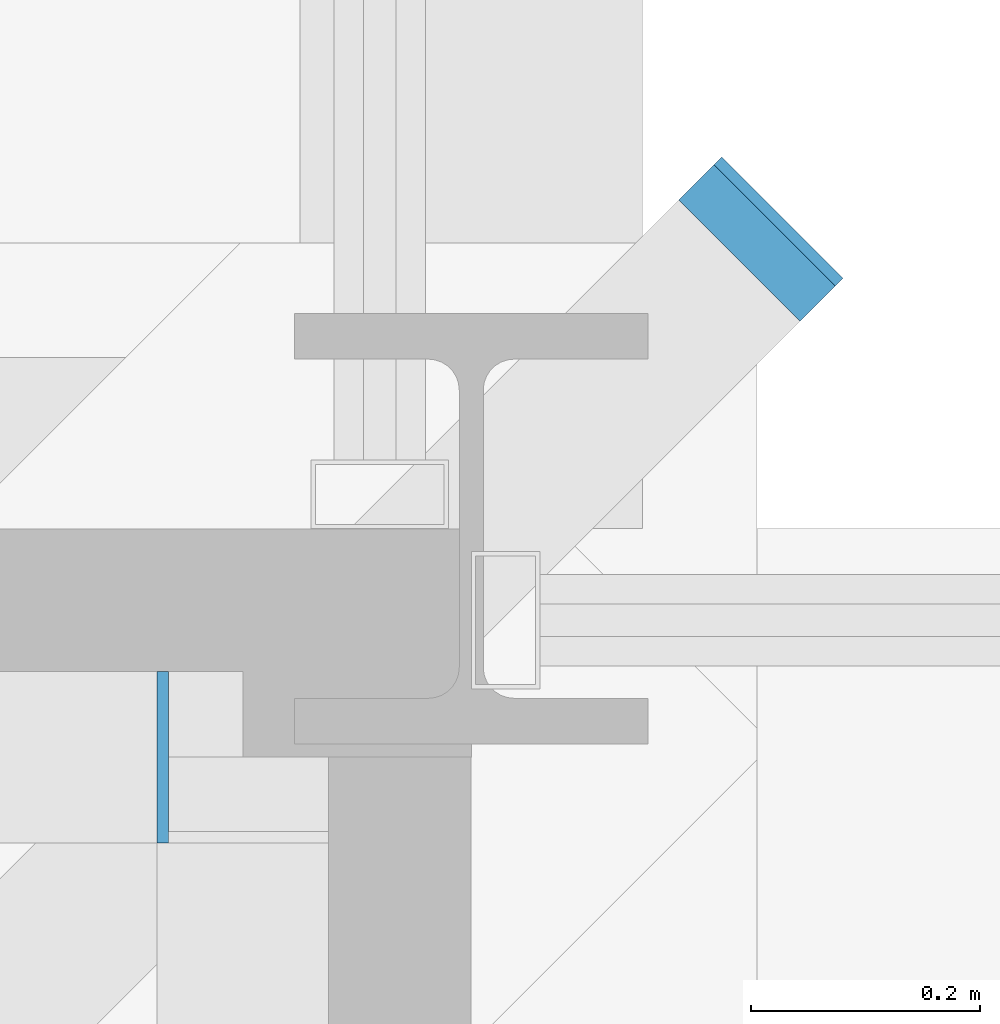
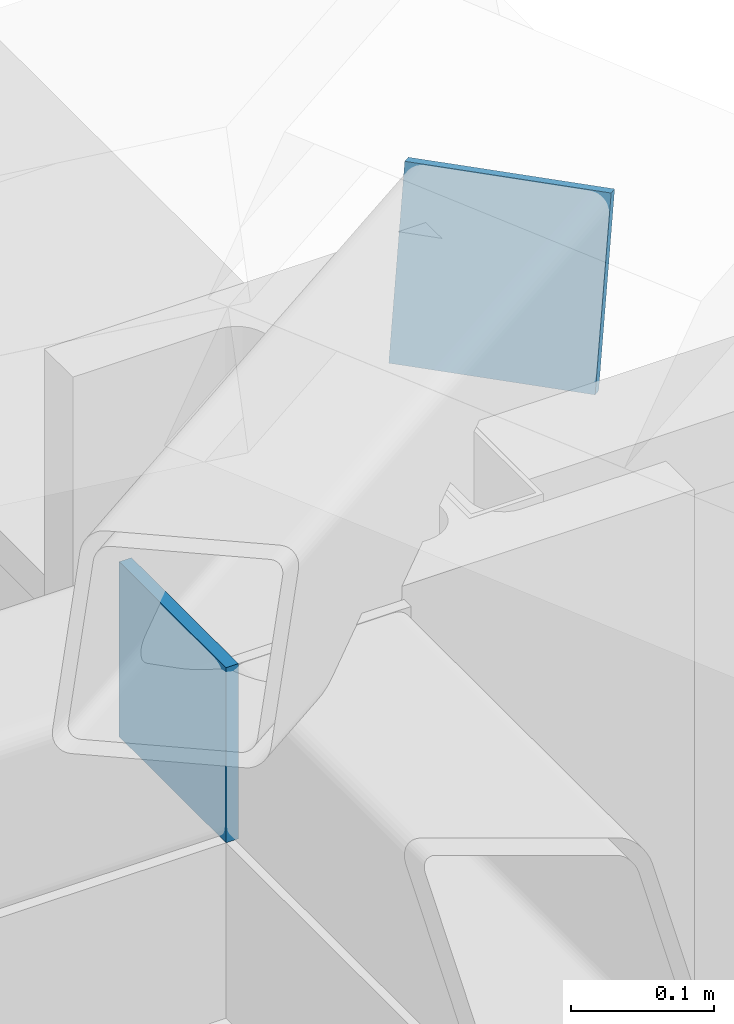
# One storey, part 112 of 149: 2 discrete accessories.
"""IFC4 building model written with IfcOpenShell, lengths in metres."""

from ifc_helpers import new_model, si_unit, direction, frame, origin, origin_2d, place, context, subcontext, project, spatial, rectangle, extrude, material, material_profile, profile_set, type_object, element, save


model = new_model("IFC4")

# Units and contexts
model_context = context("Model", 3, precision=1e-05, world=origin(), true_north=direction((0.0, 1.0)))
body_context = subcontext(model_context, "Body", "Model", "MODEL_VIEW")
ifc_project = project(units=[si_unit("LENGTHUNIT", "METRE"), si_unit("AREAUNIT", "SQUARE_METRE"), si_unit("VOLUMEUNIT", "CUBIC_METRE"), si_unit("PLANEANGLEUNIT", "RADIAN"), si_unit("MASSUNIT", "GRAM", prefix="KILO")], contexts=[model_context])

# Site, building, storey
site_placement = place(None, origin())
site = spatial("IfcSite", under=ifc_project, at=site_placement, CompositionType="ELEMENT")
building_placement = place(site_placement, origin())
building = spatial("IfcBuilding", under=site, at=building_placement, Name="Kallimachos Central Library", CompositionType="ELEMENT")
storey_placement = place(building_placement, frame((0.0, 0.0, 9.89990234375)))
storey = spatial("IfcBuildingStorey", under=building, at=storey_placement, Name="L02", CompositionType="ELEMENT", Elevation=9.89990234375)

# Discrete accessories
ifc_material = material(Name="Steel S355J2", Category="steel")
ifc_material_profile = material_profile(ifc_material, rectangle(XDim=0.14990234375, YDim=0.14990234375, at=origin_2d()), Name="End cap plate 10, 150x150")
ifc_profile_set = profile_set([ifc_material_profile], Name="Steel S355J2")
discrete_accessory_type = type_object("IfcDiscreteAccessoryType", Name="End cap plate 10, 150x150", PredefinedType="BRACKET", material=ifc_profile_set)
for number, where, z_axis, x_axis, name in (
    (1, (74.22509765625, 56.800048828125, 4.47509765625), (1.0, 0.0, 0.0), (0.0, 1.0, 0.0), "End cap plate"),
    (2, (74.7568359375, 57.2568359375, 4.378662109375), (-0.676715542332, -0.676715542332, 0.290020946714), (0.707106781187, -0.707106781187, 0.0), "End cap plate"),
):
    element("IfcDiscreteAccessory", number, at=place(storey_placement, frame(where, z_axis=z_axis, x_axis=x_axis)), inside=storey, type_object=discrete_accessory_type, Name=name, PredefinedType="BRACKET", context=body_context, shape_type="SweptSolid", body=[
        extrude(rectangle(XDim=0.14990234375, YDim=0.14990234375, at=origin_2d()), origin(), (0.0, 0.0, 1.0), 0.010009765625),
    ])

save(model, "model.ifc")
